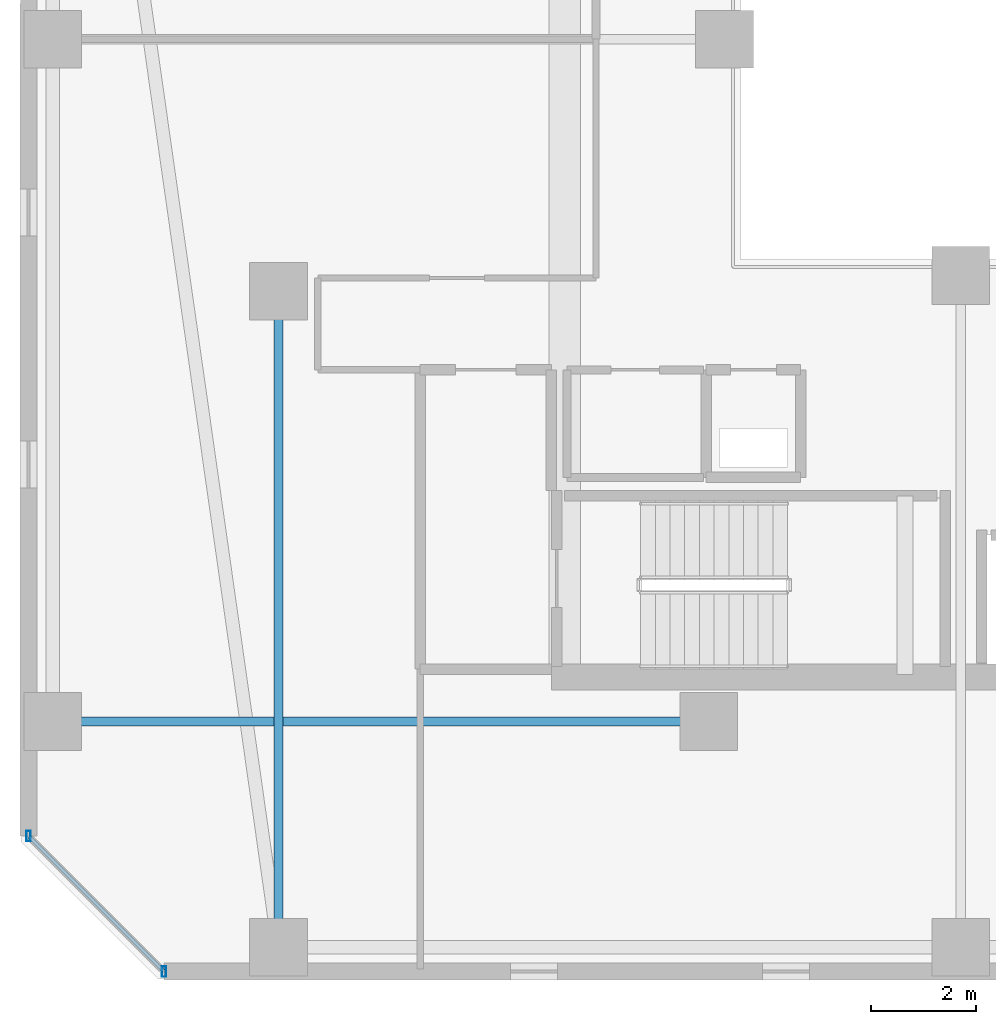
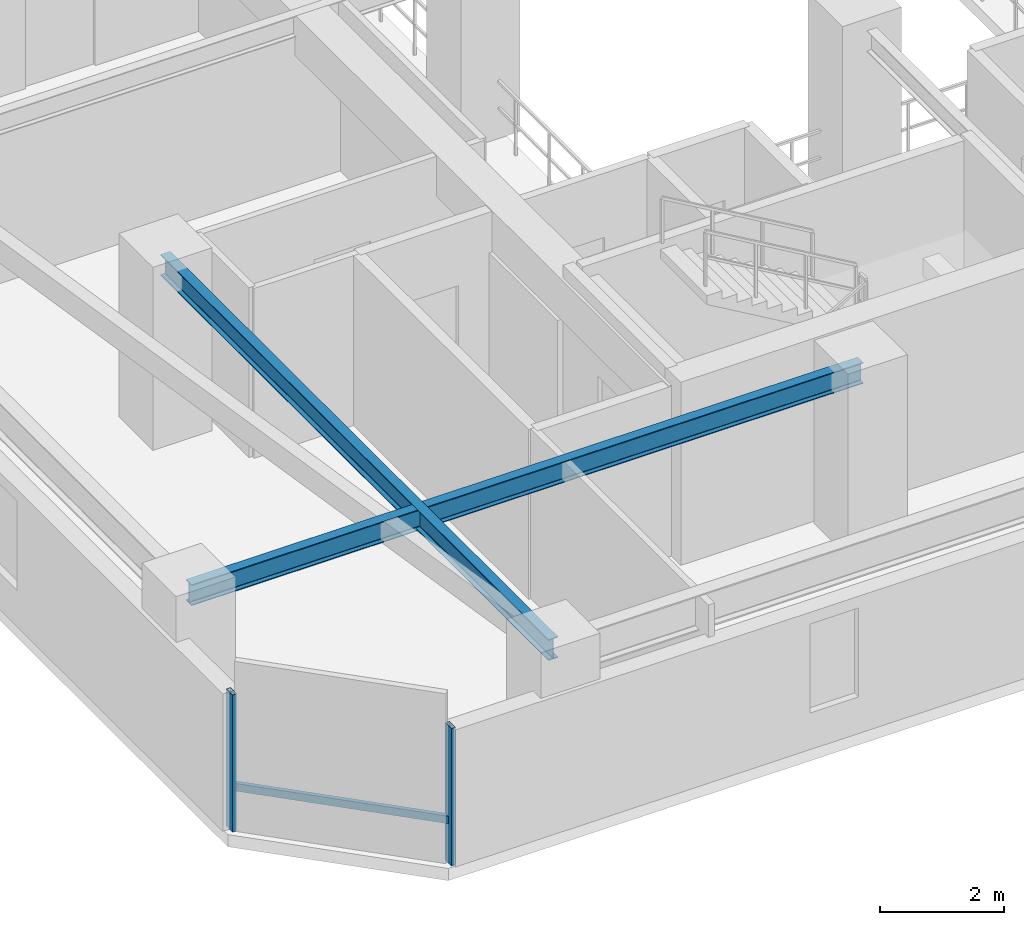
# One storey, part 3 of 32: 3 members, 2 beams, 1 element without a shape of its own.
"""IFC4 building model written with IfcOpenShell, lengths in metres."""

import ifcopenshell
import ifcopenshell.guid

model = None  # the IFC model being written
_history = None  # IfcOwnerHistory: only IFC2X3 demands one
_inside = {}  # id of a spatial element -> (the spatial element, [elements in it])
_under = {}  # id of a project, library or spatial element -> (it, [spatial elements below it])
_declared = {}  # id of a project -> (the project, [libraries it declares])
_typed = {}  # id of a type object -> (the type object, [elements of that type])
_made_of = {}  # id of a material, layer set ... -> (it, [elements and type objects made of it])


def new_model(schema):
    """Start an empty IFC model of exactly this schema.

    Asked for "IFC4X3", IfcOpenShell would pick the latest addendum, in which some entities
    have other attributes; the version numbers below select the first issue.
    IFC2X3 requires an IfcOwnerHistory on every rooted entity: one is made here for all.
    """
    global model, _history
    if schema == "IFC4X3":
        model = ifcopenshell.file(schema_version=(4, 3, 0, 0))
    else:
        model = ifcopenshell.file(schema=schema)
    _inside.clear()
    _under.clear()
    _declared.clear()
    _typed.clear()
    _made_of.clear()
    _history = None
    if model.schema == "IFC2X3":
        org = make("IfcOrganization", Name="unknown")
        user = make(
            "IfcPersonAndOrganization",
            ThePerson=make("IfcPerson", FamilyName="unknown"),
            TheOrganization=org,
        )
        app = make(
            "IfcApplication",
            ApplicationDeveloper=org,
            Version="unknown",
            ApplicationFullName="unknown",
            ApplicationIdentifier="unknown",
        )
        _history = make(
            "IfcOwnerHistory",
            OwningUser=user,
            OwningApplication=app,
            ChangeAction="ADDED",
            CreationDate=0,
        )
    return model


def make(cls, **values):
    """One entity of the class cls with the attributes given. An attribute that is None is left unset."""
    return model.create_entity(
        cls, **{name: value for name, value in values.items() if value is not None}
    )


def rooted(cls, **values):
    """An entity with a GlobalId (a new one), such as an element, a storey or a relation."""
    return make(cls, GlobalId=ifcopenshell.guid.new(), OwnerHistory=_history, **values)


def si_unit(unit_type, name, prefix=None):
    """IfcSIUnit, for example si_unit("LENGTHUNIT", "METRE", prefix="MILLI")."""
    return make("IfcSIUnit", UnitType=unit_type, Prefix=prefix, Name=name)


def assignment(units):
    """IfcUnitAssignment: the units of a project."""
    return None if units is None else make("IfcUnitAssignment", Units=units)


def point(xyz):
    """IfcCartesianPoint."""
    return None if xyz is None else make("IfcCartesianPoint", Coordinates=xyz)


def direction(xyz):
    """IfcDirection."""
    return None if xyz is None else make("IfcDirection", DirectionRatios=xyz)


def frame(location, z_axis=None, x_axis=None):
    """IfcAxis2Placement3D, a coordinate frame: its origin and axes. An axis left out is left unset."""
    return make(
        "IfcAxis2Placement3D",
        Location=point(location),
        Axis=direction(z_axis),
        RefDirection=direction(x_axis),
    )


def frame_2d(location, x_axis=None):
    """IfcAxis2Placement2D, a coordinate frame in the plane: its origin and x axis."""
    return make(
        "IfcAxis2Placement2D", Location=point(location), RefDirection=direction(x_axis)
    )


def origin():
    """The frame at (0, 0, 0) with its axes left unset."""
    return frame((0.0, 0.0, 0.0))


def origin_2d():
    """The frame at (0, 0) in the plane with its x axis left unset."""
    return frame_2d((0.0, 0.0))


def place(relative_to, where):
    """IfcLocalPlacement: puts the frame where relative to a parent placement (None: the world)."""
    return make(
        "IfcLocalPlacement", PlacementRelTo=relative_to, RelativePlacement=where
    )


def context(
    kind, dimensions, precision=None, world=None, true_north=None, identifier=None
):
    """IfcGeometricRepresentationContext, for example the 3D "Model" context."""
    return make(
        "IfcGeometricRepresentationContext",
        ContextIdentifier=identifier,
        ContextType=kind,
        CoordinateSpaceDimension=dimensions,
        Precision=precision,
        WorldCoordinateSystem=world,
        TrueNorth=true_north,
    )


def subcontext(parent, identifier, kind, view, scale=None):
    """IfcGeometricRepresentationSubContext, for example "Body" below "Model"."""
    return make(
        "IfcGeometricRepresentationSubContext",
        ContextIdentifier=identifier,
        ContextType=kind,
        ParentContext=parent,
        TargetScale=scale,
        TargetView=view,
    )


def project(units=None, contexts=None):
    """IfcProject with its units and contexts."""
    return rooted(
        "IfcProject",
        Name="project",
        RepresentationContexts=contexts,
        UnitsInContext=assignment(units),
    )


def spatial(cls, under=None, at=None, **own):
    """A site, building, storey or space (cls), placed at a placement, below another one or the project."""
    s = rooted(cls, ObjectPlacement=at, **own)
    if under is not None:
        _under.setdefault(under.id(), (under, []))[1].append(s)
    return s


def profile(cls, at=None, kind="AREA", **sizes):
    """A parametric profile (cls). Its sizes go by their IFC names, for example OverallWidth=200.0."""
    return make(cls, ProfileType=kind, Position=at, **sizes)


def hollow_rectangle(**sizes):
    """IfcRectangleHollowProfileDef."""
    return profile("IfcRectangleHollowProfileDef", **sizes)


def i_section(**sizes):
    """IfcIShapeProfileDef."""
    return profile("IfcIShapeProfileDef", **sizes)


def extrude(swept, where, along, depth):
    """IfcExtrudedAreaSolid: the profile swept, set in the frame where, extruded along a direction by depth."""
    return make(
        "IfcExtrudedAreaSolid",
        SweptArea=swept,
        Position=where,
        ExtrudedDirection=direction(along),
        Depth=depth,
    )


def shape(context_of_items, identifier, shape_type, items):
    """IfcShapeRepresentation: the items that make up one representation, for example the "Body"."""
    return make(
        "IfcShapeRepresentation",
        ContextOfItems=context_of_items,
        RepresentationIdentifier=identifier,
        RepresentationType=shape_type,
        Items=items,
    )


def material(Name=None, Category=None):
    """IfcMaterial."""
    return make("IfcMaterial", Name=Name, Category=Category)


def material_profile(
    of_material, cross_section, Name=None, Category=None, Priority=None
):
    """IfcMaterialProfile: a cross section and its material."""
    return make(
        "IfcMaterialProfile",
        Name=Name,
        Material=of_material,
        Profile=cross_section,
        Priority=Priority,
        Category=Category,
    )


def profile_set(profiles, Name=None, composite=None):
    """IfcMaterialProfileSet."""
    return make(
        "IfcMaterialProfileSet",
        Name=Name,
        MaterialProfiles=profiles,
        CompositeProfile=composite,
    )


def made_of(thing, what):
    """Note that an element or type object is made of a material, layer set ...; save() writes the relation."""
    if what is not None:
        _made_of.setdefault(what.id(), (what, []))[1].append(thing)
    return thing


def type_object(cls, material=None, **own):
    """A type object (cls), such as IfcWallType, which elements share."""
    return made_of(rooted(cls, **own), material)


def element(
    cls,
    number,
    at=None,
    inside=None,
    cuts=None,
    type_object=None,
    material=None,
    context=None,
    identifier="Body",
    shape_type=None,
    held_by="IfcProductDefinitionShape",
    body=None,
    shapes=None,
    **own,
):
    """One element of the class cls, such as IfcWall. Its Tag is "e" and its number.

    at: its placement. inside: the storey or other place that contains it. cuts: it is an
    opening in that element (IfcRelVoidsElement). A single representation is given by context,
    identifier, shape_type and body (its items); several are given by shapes. held_by: the class
    of the entity that holds the representations. save() writes the other relations.
    """
    e = rooted(cls, Tag="e%d" % number, ObjectPlacement=at, **own)
    if body is not None:
        shapes = [shape(context, identifier, shape_type, body)]
    if shapes is not None:
        e.Representation = make(held_by, Representations=shapes)
    if inside is not None:
        _inside.setdefault(inside.id(), (inside, []))[1].append(e)
    if cuts is not None:
        rooted(
            "IfcRelVoidsElement", RelatingBuildingElement=cuts, RelatedOpeningElement=e
        )
    if type_object is not None:
        _typed.setdefault(type_object.id(), (type_object, []))[1].append(e)
    return made_of(e, material)


def aggregate(whole, parts):
    """IfcRelAggregates: a whole, such as a stair, and the parts it consists of."""
    return rooted("IfcRelAggregates", RelatingObject=whole, RelatedObjects=parts)


def save(model, path):
    """Write the relations noted so far, then the file.

    IfcRelAggregates (storeys below a building ...), IfcRelContainedInSpatialStructure (elements
    in a storey), IfcRelDefinesByType, IfcRelAssociatesMaterial and IfcRelDeclares: one each for
    every whole, place, type object, material and project.
    """
    for whole, parts in _under.values():
        aggregate(whole, parts)
    for where, things in _inside.values():
        rooted(
            "IfcRelContainedInSpatialStructure",
            RelatedElements=things,
            RelatingStructure=where,
        )
    for kind, things in _typed.values():
        rooted("IfcRelDefinesByType", RelatedObjects=things, RelatingType=kind)
    for what, things in _made_of.values():
        rooted("IfcRelAssociatesMaterial", RelatedObjects=things, RelatingMaterial=what)
    for by, libraries in _declared.values():
        rooted("IfcRelDeclares", RelatingContext=by, RelatedDefinitions=libraries)
    model.write(path)


model = new_model("IFC4")

# Units and contexts
model_context = context("Model", 3, precision=1e-05, world=origin(), true_north=direction((0.0, 1.0)))
body_context = subcontext(model_context, "Body", "Model", "MODEL_VIEW")
ifc_project = project(units=[si_unit("LENGTHUNIT", "METRE"), si_unit("AREAUNIT", "SQUARE_METRE"), si_unit("VOLUMEUNIT", "CUBIC_METRE"), si_unit("PLANEANGLEUNIT", "RADIAN"), si_unit("MASSUNIT", "GRAM", prefix="KILO")], contexts=[model_context])

# Site, building, storey
site_placement = place(None, origin())
site = spatial("IfcSite", under=ifc_project, at=site_placement, CompositionType="ELEMENT")
building_placement = place(site_placement, origin())
building = spatial("IfcBuilding", under=site, at=building_placement, Name="Thornwick Lancets Civic Towers", CompositionType="ELEMENT")
storey_placement = place(building_placement, frame((0.0, 0.0, 182.10009765625)))
storey = spatial("IfcBuildingStorey", under=building, at=storey_placement, Name="L48", CompositionType="ELEMENT", Elevation=182.10009765625)

# Beams
ifc_material_1 = material(Name="Steel S355JR", Category="steel")
ifc_material_profile_1 = material_profile(ifc_material_1, i_section(OverallWidth=0.179443359375, OverallDepth=0.412841796875, WebThickness=0.009521484375, FlangeThickness=0.01611328125, FilletRadius=0.01025390625, at=origin_2d()), Name="UKB 406x178x74")
ifc_profile_set_1 = profile_set([ifc_material_profile_1], Name="Steel S355JR")
beam_type = type_object("IfcBeamType", Name="BM_JOIST_406_74", PredefinedType="JOIST", material=ifc_profile_set_1)
for number, where, z_axis, x_axis, name in (
    (1, (12.5, 22.199951171875, 3.153564453125), (0.0, -1.0, 0.0), (1.0, 0.0, 0.0), "BM-RADIN-L48-A01"),
    (2, (20.699951171875, 14.0, 3.153564453125), (-1.0, 0.0, 0.0), (0.0, -1.0, 0.0), "BM-RADIN-L48-A10"),
):
    element("IfcBeam", number, at=place(storey_placement, frame(where, z_axis=z_axis, x_axis=x_axis)), inside=storey, type_object=beam_type, Name=name, PredefinedType="JOIST", context=body_context, shape_type="SweptSolid", body=[
        extrude(i_section(OverallWidth=0.179443359375, OverallDepth=0.412841796875, WebThickness=0.009521484375, FlangeThickness=0.01611328125, FilletRadius=0.01025390625, at=origin_2d()), origin(), (0.0, 0.0, 1.0), 12.5),
    ])

# Curtain wall, members
ifc_material_2 = material(Name="Mid-zone chamfered-corner unitised glass curtain wall", Category="glass")
curtain_wall_type = type_object("IfcCurtainWallType", Name="CW_SYS_04", PredefinedType="NOTDEFINED", material=ifc_material_2)
curtain_wall_placement = place(storey_placement, origin())
curtain_wall = element("IfcCurtainWall", 3, at=curtain_wall_placement, inside=storey, type_object=curtain_wall_type, Name="L48 Curtain Wall CW-L48-A-E7", PredefinedType="NOTDEFINED")
ifc_material_3 = material(Name="Thermally broken bronze aluminium S355", Category="steel")
ifc_material_profile_2 = material_profile(ifc_material_3, hollow_rectangle(XDim=0.080078125, YDim=0.199951171875, WallThickness=0.006103515625, at=origin_2d()), Name="RHS 200x80x6")
ifc_profile_set_2 = profile_set([ifc_material_profile_2], Name="Thermally broken bronze aluminium S355")
member_type_1 = type_object("IfcMemberType", Name="CW_MUL_200", PredefinedType="MULLION", material=ifc_profile_set_2)
member_1_placement = place(storey_placement, frame((7.7353515625, 11.818603515625, 0.0), z_axis=(0.0, 0.0, 1.0), x_axis=(1.0, 0.0, 0.0)))
member_1 = element("IfcMember", 4, at=member_1_placement, type_object=member_type_1, Name="CW-L48-A-E7 Mullion 0", PredefinedType="MULLION", context=body_context, shape_type="SweptSolid", body=[
    extrude(hollow_rectangle(XDim=0.080078125, YDim=0.199951171875, WallThickness=0.006103515625, at=origin_2d()), origin(), (0.0, 0.0, 1.0), 2.699951171875),
])
member_2_placement = place(storey_placement, frame((10.318603515625, 9.2353515625, 0.0), z_axis=(0.0, 0.0, 1.0), x_axis=(1.0, 0.0, 0.0)))
member_2 = element("IfcMember", 5, at=member_2_placement, type_object=member_type_1, Name="CW-L48-A-E7 Mullion 1", PredefinedType="MULLION", context=body_context, shape_type="SweptSolid", body=[
    extrude(hollow_rectangle(XDim=0.080078125, YDim=0.199951171875, WallThickness=0.006103515625, at=origin_2d()), origin(), (0.0, 0.0, 1.0), 2.699951171875),
])
ifc_material_profile_3 = material_profile(ifc_material_3, hollow_rectangle(XDim=0.074951171875, YDim=0.14990234375, WallThickness=0.0048828125, at=origin_2d()), Name="RHS 150x75x5")
ifc_profile_set_3 = profile_set([ifc_material_profile_3], Name="Thermally broken bronze aluminium S355")
member_type_2 = type_object("IfcMemberType", Name="CW_TRN_150", PredefinedType="USERDEFINED", material=ifc_profile_set_3)
member_3_placement = place(storey_placement, frame((7.74951171875, 11.804443359375, 0.849853515625), z_axis=(0.707106781187, -0.707106781187, 0.0), x_axis=(0.707106781187, 0.707106781187, 0.0)))
member_3 = element("IfcMember", 6, at=member_3_placement, type_object=member_type_2, Name="CW-L48-A-E7 Transom 0", ObjectType="TRANSOM", PredefinedType="USERDEFINED", context=body_context, shape_type="SweptSolid", body=[
    extrude(hollow_rectangle(XDim=0.074951171875, YDim=0.14990234375, WallThickness=0.0048828125, at=origin_2d()), origin(), (0.0, 0.0, 1.0), 3.61328125),
])
aggregate(curtain_wall, [member_1, member_2, member_3])

save(model, "model.ifc")
